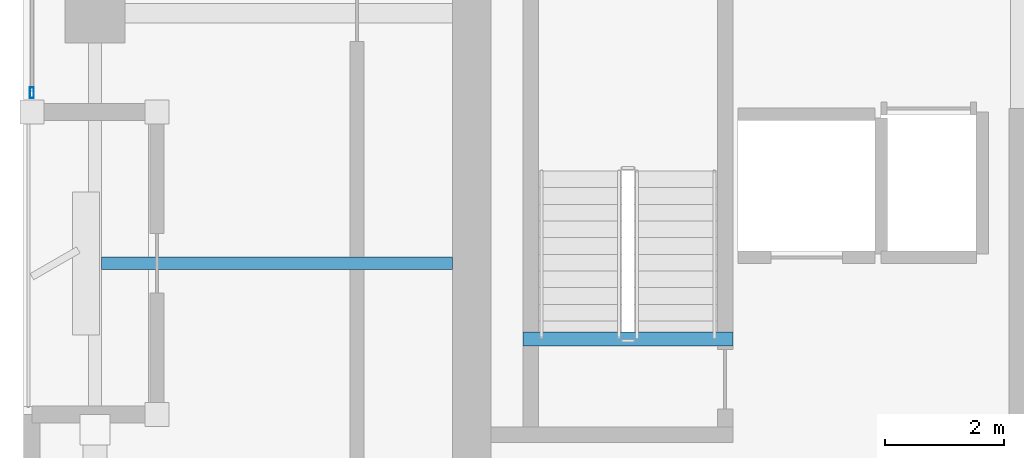
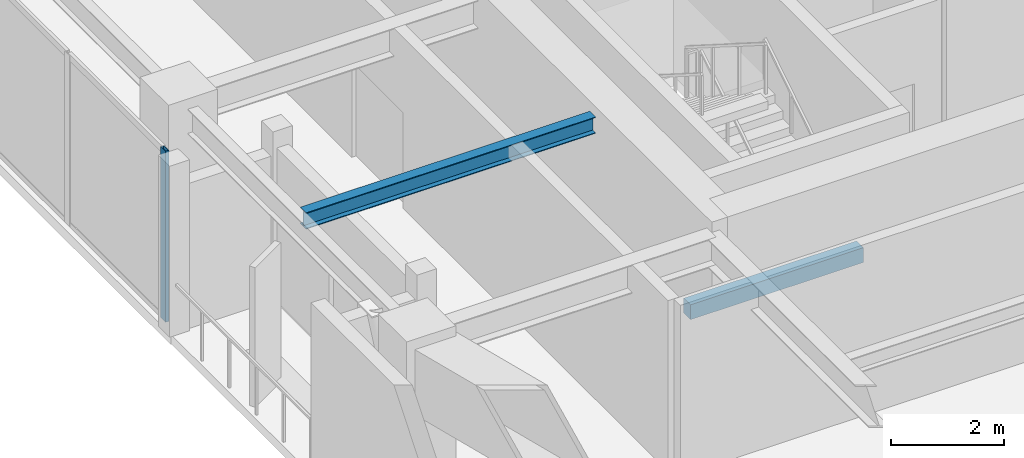
# One storey, part 2 of 16: 2 beams, 1 member, 1 element without a shape of its own.
"""IFC4 building model written with IfcOpenShell, lengths in metres."""

from ifc_helpers import new_model, si_unit, direction, frame, origin, origin_2d, place, context, subcontext, project, spatial, rectangle, hollow_rectangle, i_section, extrude, material, layer, layer_set, material_profile, profile_set, type_object, element, aggregate, save


model = new_model("IFC4")

# Units and contexts
model_context = context("Model", 3, precision=1e-05, world=origin(), true_north=direction((0.0, 1.0)))
body_context = subcontext(model_context, "Body", "Model", "MODEL_VIEW")
ifc_project = project(units=[si_unit("LENGTHUNIT", "METRE"), si_unit("AREAUNIT", "SQUARE_METRE"), si_unit("VOLUMEUNIT", "CUBIC_METRE"), si_unit("PLANEANGLEUNIT", "RADIAN"), si_unit("MASSUNIT", "GRAM", prefix="KILO")], contexts=[model_context])

# Site, building, storey
site_placement = place(None, origin())
site = spatial("IfcSite", under=ifc_project, at=site_placement, CompositionType="ELEMENT")
building_placement = place(site_placement, origin())
building = spatial("IfcBuilding", under=site, at=building_placement, Name="Kiyonajd Concourse Tower", CompositionType="ELEMENT")
storey_placement = place(building_placement, frame((0.0, 0.0, 255.0)))
storey = spatial("IfcBuildingStorey", under=building, at=storey_placement, Name="L64", CompositionType="ELEMENT", Elevation=255.0)

# Beams
ifc_material_1 = material(Name="Steel ASTM A992 Grade 50", Category="steel")
ifc_material_profile_1 = material_profile(ifc_material_1, i_section(OverallWidth=0.205078125, OverallDepth=0.35400390625, WebThickness=0.009521484375, FlangeThickness=0.016845703125, at=origin_2d()), Name="W360X79")
ifc_profile_set_1 = profile_set([ifc_material_profile_1], Name="Steel ASTM A992 Grade 50")
beam_type_1 = type_object("IfcBeamType", Name="BM-JST-360", PredefinedType="JOIST", material=ifc_profile_set_1)
beam_1_placement = place(storey_placement, frame((26.505615234375, 31.800048828125, 3.5029296875), z_axis=(1.0, 0.0, 0.0), x_axis=(0.0, 1.0, 0.0)))
element("IfcBeam", 1, at=beam_1_placement, inside=storey, type_object=beam_type_1, Name="L64 West Secondary Floor Joist", PredefinedType="JOIST", context=body_context, shape_type="SweptSolid", body=[
    extrude(i_section(OverallWidth=0.205078125, OverallDepth=0.35400390625, WebThickness=0.009521484375, FlangeThickness=0.016845703125, at=origin_2d()), origin(), (0.0, 0.0, 1.0), 5.894287109375),
])
ifc_material_2 = material(Name="Concrete C50/60", Category="concrete")
ifc_material_profile_2 = material_profile(ifc_material_2, rectangle(XDim=0.239990234375, YDim=0.320068359375, at=origin_2d()), Name="RCBM-240x320")
ifc_profile_set_2 = profile_set([ifc_material_profile_2], Name="Concrete C50/60")
beam_type_2 = type_object("IfcBeamType", Name="BM-LNT-250", PredefinedType="LINTEL", material=ifc_profile_set_2)
beam_2_placement = place(storey_placement, frame((33.590087890625, 30.530029296875, -0.159912109375), z_axis=(1.0, 0.0, 0.0), x_axis=(0.0, 1.0, 0.0)))
element("IfcBeam", 2, at=beam_2_placement, inside=storey, type_object=beam_type_2, Name="L64 Stair ST1 Threshold Support Beam", PredefinedType="LINTEL", context=body_context, shape_type="SweptSolid", body=[
    extrude(rectangle(XDim=0.239990234375, YDim=0.320068359375, at=origin_2d()), origin(), (0.0, 0.0, 1.0), 3.52001953125),
])

# Curtain wall, member
ifc_material_3 = material(Name="Thermally Broken Anodised Aluminium", Category="aluminium")
ifc_layer = layer(ifc_material_3, 0.179931640625)
ifc_layer_set = layer_set([ifc_layer], Name="Thermally Broken Anodised Aluminium")
curtain_wall_type = type_object("IfcCurtainWallType", Name="CW-SYS-04", PredefinedType="NOTDEFINED", material=ifc_layer_set)
curtain_wall_placement = place(storey_placement, origin())
curtain_wall = element("IfcCurtainWall", 3, at=curtain_wall_placement, inside=storey, type_object=curtain_wall_type, Name="L64 Unitised Curtain Wall CW4", PredefinedType="NOTDEFINED")
ifc_material_profile_3 = material_profile(ifc_material_3, hollow_rectangle(XDim=0.06494140625, YDim=0.179931640625, WallThickness=0.00390625, at=origin_2d()), Name="MULL-65x180")
ifc_profile_set_3 = profile_set([ifc_material_profile_3], Name="Thermally Broken Anodised Aluminium")
member_type = type_object("IfcMemberType", Name="MB-CW-MULL1", PredefinedType="MULLION", material=ifc_profile_set_3)
member_placement = place(storey_placement, frame((25.340087890625, 34.66259765625, 0.0), z_axis=(0.0, 0.0, 1.0), x_axis=(-1.0, 0.0, 0.0)))
member = element("IfcMember", 4, at=member_placement, type_object=member_type, Name="CW4 mullion 1", PredefinedType="MULLION", context=body_context, shape_type="SweptSolid", body=[
    extrude(hollow_rectangle(XDim=0.06494140625, YDim=0.179931640625, WallThickness=0.00390625, at=origin_2d()), origin(), (0.0, 0.0, 1.0), 3.679931640625),
])
aggregate(curtain_wall, [member])

save(model, "model.ifc")
